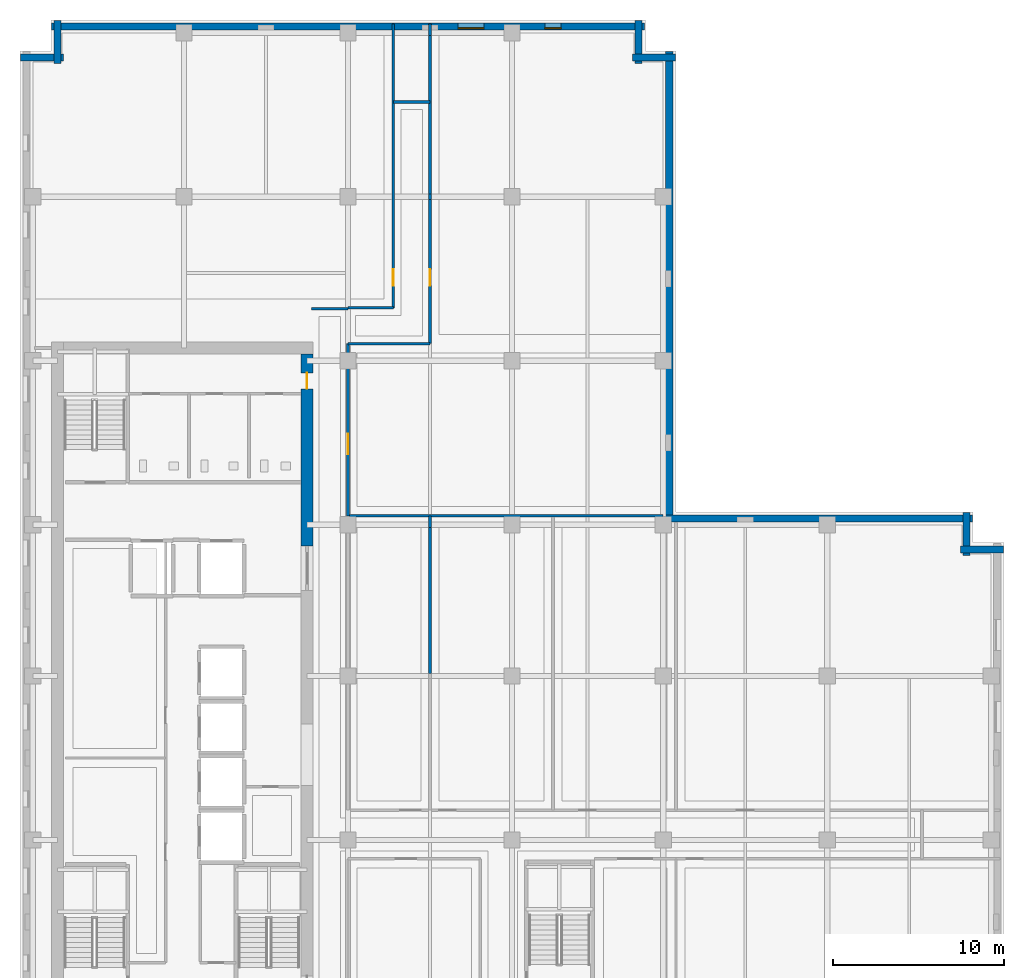
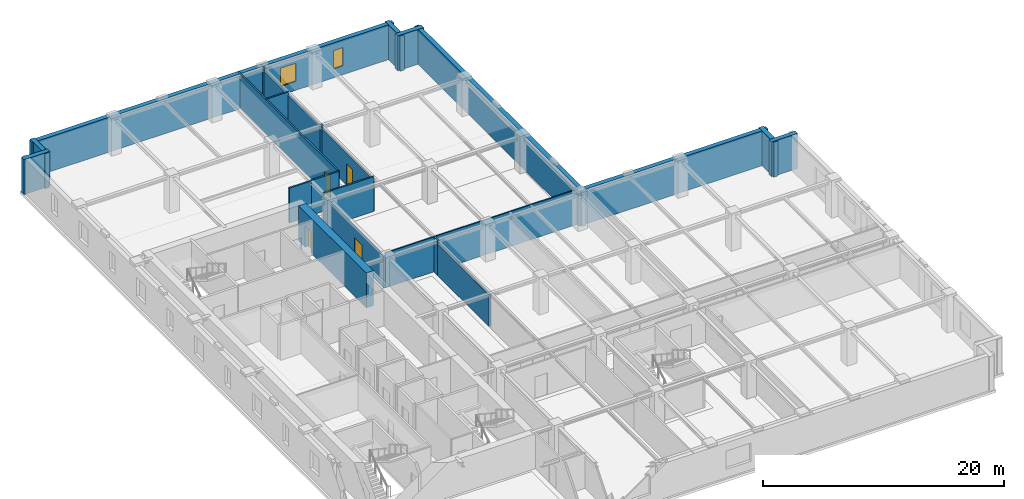
# One storey, part 7 of 13: 23 walls, 4 doors, 2 windows, 6 openings.
"""IFC4 building model written with IfcOpenShell, lengths in metres."""

import ifcopenshell
import ifcopenshell.guid

model = None  # the IFC model being written
_history = None  # IfcOwnerHistory: only IFC2X3 demands one
_inside = {}  # id of a spatial element -> (the spatial element, [elements in it])
_under = {}  # id of a project, library or spatial element -> (it, [spatial elements below it])
_declared = {}  # id of a project -> (the project, [libraries it declares])
_typed = {}  # id of a type object -> (the type object, [elements of that type])
_made_of = {}  # id of a material, layer set ... -> (it, [elements and type objects made of it])


def new_model(schema):
    """Start an empty IFC model of exactly this schema.

    Asked for "IFC4X3", IfcOpenShell would pick the latest addendum, in which some entities
    have other attributes; the version numbers below select the first issue.
    IFC2X3 requires an IfcOwnerHistory on every rooted entity: one is made here for all.
    """
    global model, _history
    if schema == "IFC4X3":
        model = ifcopenshell.file(schema_version=(4, 3, 0, 0))
    else:
        model = ifcopenshell.file(schema=schema)
    _inside.clear()
    _under.clear()
    _declared.clear()
    _typed.clear()
    _made_of.clear()
    _history = None
    if model.schema == "IFC2X3":
        org = make("IfcOrganization", Name="unknown")
        user = make(
            "IfcPersonAndOrganization",
            ThePerson=make("IfcPerson", FamilyName="unknown"),
            TheOrganization=org,
        )
        app = make(
            "IfcApplication",
            ApplicationDeveloper=org,
            Version="unknown",
            ApplicationFullName="unknown",
            ApplicationIdentifier="unknown",
        )
        _history = make(
            "IfcOwnerHistory",
            OwningUser=user,
            OwningApplication=app,
            ChangeAction="ADDED",
            CreationDate=0,
        )
    return model


def make(cls, **values):
    """One entity of the class cls with the attributes given. An attribute that is None is left unset."""
    return model.create_entity(
        cls, **{name: value for name, value in values.items() if value is not None}
    )


def rooted(cls, **values):
    """An entity with a GlobalId (a new one), such as an element, a storey or a relation."""
    return make(cls, GlobalId=ifcopenshell.guid.new(), OwnerHistory=_history, **values)


def si_unit(unit_type, name, prefix=None):
    """IfcSIUnit, for example si_unit("LENGTHUNIT", "METRE", prefix="MILLI")."""
    return make("IfcSIUnit", UnitType=unit_type, Prefix=prefix, Name=name)


def assignment(units):
    """IfcUnitAssignment: the units of a project."""
    return None if units is None else make("IfcUnitAssignment", Units=units)


def point(xyz):
    """IfcCartesianPoint."""
    return None if xyz is None else make("IfcCartesianPoint", Coordinates=xyz)


def direction(xyz):
    """IfcDirection."""
    return None if xyz is None else make("IfcDirection", DirectionRatios=xyz)


def frame(location, z_axis=None, x_axis=None):
    """IfcAxis2Placement3D, a coordinate frame: its origin and axes. An axis left out is left unset."""
    return make(
        "IfcAxis2Placement3D",
        Location=point(location),
        Axis=direction(z_axis),
        RefDirection=direction(x_axis),
    )


def frame_2d(location, x_axis=None):
    """IfcAxis2Placement2D, a coordinate frame in the plane: its origin and x axis."""
    return make(
        "IfcAxis2Placement2D", Location=point(location), RefDirection=direction(x_axis)
    )


def origin():
    """The frame at (0, 0, 0) with its axes left unset."""
    return frame((0.0, 0.0, 0.0))


def place(relative_to, where):
    """IfcLocalPlacement: puts the frame where relative to a parent placement (None: the world)."""
    return make(
        "IfcLocalPlacement", PlacementRelTo=relative_to, RelativePlacement=where
    )


def context(
    kind, dimensions, precision=None, world=None, true_north=None, identifier=None
):
    """IfcGeometricRepresentationContext, for example the 3D "Model" context."""
    return make(
        "IfcGeometricRepresentationContext",
        ContextIdentifier=identifier,
        ContextType=kind,
        CoordinateSpaceDimension=dimensions,
        Precision=precision,
        WorldCoordinateSystem=world,
        TrueNorth=true_north,
    )


def subcontext(parent, identifier, kind, view, scale=None):
    """IfcGeometricRepresentationSubContext, for example "Body" below "Model"."""
    return make(
        "IfcGeometricRepresentationSubContext",
        ContextIdentifier=identifier,
        ContextType=kind,
        ParentContext=parent,
        TargetScale=scale,
        TargetView=view,
    )


def project(units=None, contexts=None):
    """IfcProject with its units and contexts."""
    return rooted(
        "IfcProject",
        Name="project",
        RepresentationContexts=contexts,
        UnitsInContext=assignment(units),
    )


def spatial(cls, under=None, at=None, **own):
    """A site, building, storey or space (cls), placed at a placement, below another one or the project."""
    s = rooted(cls, ObjectPlacement=at, **own)
    if under is not None:
        _under.setdefault(under.id(), (under, []))[1].append(s)
    return s


def profile(cls, at=None, kind="AREA", **sizes):
    """A parametric profile (cls). Its sizes go by their IFC names, for example OverallWidth=200.0."""
    return make(cls, ProfileType=kind, Position=at, **sizes)


def rectangle(**sizes):
    """IfcRectangleProfileDef."""
    return profile("IfcRectangleProfileDef", **sizes)


def extrude(swept, where, along, depth):
    """IfcExtrudedAreaSolid: the profile swept, set in the frame where, extruded along a direction by depth."""
    return make(
        "IfcExtrudedAreaSolid",
        SweptArea=swept,
        Position=where,
        ExtrudedDirection=direction(along),
        Depth=depth,
    )


def shape(context_of_items, identifier, shape_type, items):
    """IfcShapeRepresentation: the items that make up one representation, for example the "Body"."""
    return make(
        "IfcShapeRepresentation",
        ContextOfItems=context_of_items,
        RepresentationIdentifier=identifier,
        RepresentationType=shape_type,
        Items=items,
    )


def material(Name=None, Category=None):
    """IfcMaterial."""
    return make("IfcMaterial", Name=Name, Category=Category)


def layer(
    of_material, thickness, ventilated=None, Name=None, Category=None, Priority=None
):
    """IfcMaterialLayer: one layer of a wall or slab, of a material (None: an air gap)."""
    return make(
        "IfcMaterialLayer",
        Material=of_material,
        LayerThickness=thickness,
        IsVentilated=ventilated,
        Name=Name,
        Category=Category,
        Priority=Priority,
    )


def layer_set(layers, Name=None):
    """IfcMaterialLayerSet."""
    return make("IfcMaterialLayerSet", MaterialLayers=layers, LayerSetName=Name)


def made_of(thing, what):
    """Note that an element or type object is made of a material, layer set ...; save() writes the relation."""
    if what is not None:
        _made_of.setdefault(what.id(), (what, []))[1].append(thing)
    return thing


def type_object(cls, material=None, **own):
    """A type object (cls), such as IfcWallType, which elements share."""
    return made_of(rooted(cls, **own), material)


def element(
    cls,
    number,
    at=None,
    inside=None,
    cuts=None,
    type_object=None,
    material=None,
    context=None,
    identifier="Body",
    shape_type=None,
    held_by="IfcProductDefinitionShape",
    body=None,
    shapes=None,
    **own,
):
    """One element of the class cls, such as IfcWall. Its Tag is "e" and its number.

    at: its placement. inside: the storey or other place that contains it. cuts: it is an
    opening in that element (IfcRelVoidsElement). A single representation is given by context,
    identifier, shape_type and body (its items); several are given by shapes. held_by: the class
    of the entity that holds the representations. save() writes the other relations.
    """
    e = rooted(cls, Tag="e%d" % number, ObjectPlacement=at, **own)
    if body is not None:
        shapes = [shape(context, identifier, shape_type, body)]
    if shapes is not None:
        e.Representation = make(held_by, Representations=shapes)
    if inside is not None:
        _inside.setdefault(inside.id(), (inside, []))[1].append(e)
    if cuts is not None:
        rooted(
            "IfcRelVoidsElement", RelatingBuildingElement=cuts, RelatedOpeningElement=e
        )
    if type_object is not None:
        _typed.setdefault(type_object.id(), (type_object, []))[1].append(e)
    return made_of(e, material)


def fill(opening, filler):
    """IfcRelFillsElement: the door or window that sits in an opening."""
    return rooted(
        "IfcRelFillsElement",
        RelatingOpeningElement=opening,
        RelatedBuildingElement=filler,
    )


def aggregate(whole, parts):
    """IfcRelAggregates: a whole, such as a stair, and the parts it consists of."""
    return rooted("IfcRelAggregates", RelatingObject=whole, RelatedObjects=parts)


def save(model, path):
    """Write the relations noted so far, then the file.

    IfcRelAggregates (storeys below a building ...), IfcRelContainedInSpatialStructure (elements
    in a storey), IfcRelDefinesByType, IfcRelAssociatesMaterial and IfcRelDeclares: one each for
    every whole, place, type object, material and project.
    """
    for whole, parts in _under.values():
        aggregate(whole, parts)
    for where, things in _inside.values():
        rooted(
            "IfcRelContainedInSpatialStructure",
            RelatedElements=things,
            RelatingStructure=where,
        )
    for kind, things in _typed.values():
        rooted("IfcRelDefinesByType", RelatedObjects=things, RelatingType=kind)
    for what, things in _made_of.values():
        rooted("IfcRelAssociatesMaterial", RelatedObjects=things, RelatingMaterial=what)
    for by, libraries in _declared.values():
        rooted("IfcRelDeclares", RelatingContext=by, RelatedDefinitions=libraries)
    model.write(path)


model = new_model("IFC4")

# Units and contexts
model_context = context("Model", 3, precision=1e-05, world=origin(), true_north=direction((0.0, 1.0)))
body_context = subcontext(model_context, "Body", "Model", "MODEL_VIEW")
ifc_project = project(units=[si_unit("LENGTHUNIT", "METRE"), si_unit("AREAUNIT", "SQUARE_METRE"), si_unit("VOLUMEUNIT", "CUBIC_METRE"), si_unit("PLANEANGLEUNIT", "RADIAN"), si_unit("MASSUNIT", "GRAM", prefix="KILO")], contexts=[model_context])

# Site, building, storey
site_placement = place(None, origin())
site = spatial("IfcSite", under=ifc_project, at=site_placement, CompositionType="ELEMENT")
building_placement = place(site_placement, origin())
building = spatial("IfcBuilding", under=site, at=building_placement, Name="Norrvale University Quadrangle", CompositionType="ELEMENT")
storey_placement = place(building_placement, frame((0.0, 0.0, 178.800048828125)))
storey = spatial("IfcBuildingStorey", under=building, at=storey_placement, Name="L45", CompositionType="ELEMENT", Elevation=178.800048828125)

# Walls
ifc_material_1 = material(Name="Buff Norman Clay Brick Masonry", Category="masonry")
ifc_layer_1 = layer(ifc_material_1, 0.419921875, Name="Buff Norman Clay Brick Masonry")
ifc_layer_set_1 = layer_set([ifc_layer_1], Name="Buff Norman Clay Brick Masonry")
wall_type_1 = type_object("IfcWallType", Name="Wall Buff Brick 420", PredefinedType="SOLIDWALL", material=ifc_layer_set_1)
for number, where, z_axis, x_axis, name in (
    (1, (57.56005859375, 36.2099609375, 0.0), (0.0, 0.0, 1.0), (-1.0, 0.0, 0.0), "Exterior Brick Facade Wall L45-05.1"),
    (2, (55.409912109375, 35.860107421875, 0.0), (0.0, 0.0, 1.0), (0.0, 1.0, 0.0), "Exterior Brick Facade Wall L45-06.1"),
):
    element("IfcWall", number, at=place(storey_placement, frame(where, z_axis=z_axis, x_axis=x_axis)), inside=storey, type_object=wall_type_1, Name=name, PredefinedType="SOLIDWALL", context=body_context, shape_type="SweptSolid", body=[
        extrude(rectangle(XDim=2.5, YDim=0.419921875, at=frame_2d((1.25, 0.0))), origin(), (0.0, 0.0, 1.0), 3.5400390625),
    ])
wall_1_placement = place(storey_placement, frame((55.760009765625, 38.010009765625, 0.0), z_axis=(0.0, 0.0, 1.0), x_axis=(-1.0, 0.0, 0.0)))
element("IfcWall", 3, at=wall_1_placement, inside=storey, type_object=wall_type_1, Name="Exterior Brick Facade Wall L45-07.1", PredefinedType="SOLIDWALL", context=body_context, shape_type="SweptSolid", body=[
    extrude(rectangle(XDim=18.10009765625, YDim=0.419921875, at=frame_2d((9.050048828125, 0.0))), origin(), (0.0, 0.0, 1.0), 3.5400390625),
])
wall_2_placement = place(storey_placement, frame((38.010009765625, 37.659912109375, 0.0), z_axis=(0.0, 0.0, 1.0), x_axis=(0.0, 1.0, 0.0)))
element("IfcWall", 4, at=wall_2_placement, inside=storey, type_object=wall_type_1, Name="Exterior Brick Facade Wall L45-08.1", PredefinedType="SOLIDWALL", context=body_context, shape_type="SweptSolid", body=[
    extrude(rectangle(XDim=27.7001953125, YDim=0.419921875, at=frame_2d((13.85009765625, 0.0))), origin(), (0.0, 0.0, 1.0), 3.5400390625),
])
for number, where, z_axis, x_axis, name in (
    (5, (38.360107421875, 65.010009765625, 0.0), (0.0, 0.0, 1.0), (-1.0, 0.0, 0.0), "Exterior Brick Facade Wall L45-09.1"),
    (6, (36.2099609375, 64.659912109375, 0.0), (0.0, 0.0, 1.0), (0.0, 1.0, 0.0), "Exterior Brick Facade Wall L45-10.1"),
):
    element("IfcWall", number, at=place(storey_placement, frame(where, z_axis=z_axis, x_axis=x_axis)), inside=storey, type_object=wall_type_1, Name=name, PredefinedType="SOLIDWALL", context=body_context, shape_type="SweptSolid", body=[
        extrude(rectangle(XDim=2.5, YDim=0.419921875, at=frame_2d((1.25, 0.0))), origin(), (0.0, 0.0, 1.0), 3.5400390625),
    ])

# Wall, openings, windows
wall_3_placement = place(storey_placement, frame((36.56005859375, 66.81005859375, 0.0), z_axis=(0.0, 0.0, 1.0), x_axis=(-1.0, 0.0, 0.0)))
wall_3 = element("IfcWall", 7, at=wall_3_placement, inside=storey, type_object=wall_type_1, Name="Exterior Brick Facade Wall L45-11.1", PredefinedType="SOLIDWALL", context=body_context, shape_type="SweptSolid", body=[
    extrude(rectangle(XDim=34.719970703125, YDim=0.419921875, at=frame_2d((17.35986328125, 0.0))), origin(), (0.0, 0.0, 1.0), 3.5400390625),
])
opening_1_placement = place(wall_3_placement, frame((4.885009765625, 0.0, 0.89990234375)))
opening_1 = element("IfcOpeningElement", 8, at=opening_1_placement, cuts=wall_3, Name="Opening W04", PredefinedType="OPENING", context=body_context, shape_type="SweptSolid", body=[
    extrude(rectangle(XDim=0.949951171875, YDim=1.85009765625, at=frame_2d((0.47509765625, 0.925048828125))), frame((0.0, 0.221923828125, 0.0), z_axis=(0.0, -1.0, 0.0), x_axis=(1.0, 0.0, 0.0)), (0.0, 0.0, 1.0), 0.44384765625),
])
opening_2_placement = place(wall_3_placement, frame((9.409912109375, 0.0, 0.89990234375)))
opening_2 = element("IfcOpeningElement", 9, at=opening_2_placement, cuts=wall_3, Name="Opening W03", PredefinedType="OPENING", context=body_context, shape_type="SweptSolid", body=[
    extrude(rectangle(XDim=1.5, YDim=1.85009765625, at=frame_2d((0.75, 0.925048828125))), frame((0.0, 0.221923828125, 0.0), z_axis=(0.0, -1.0, 0.0), x_axis=(1.0, 0.0, 0.0)), (0.0, 0.0, 1.0), 0.44384765625),
])
ifc_material_2 = material(Name="Triple Low-E Argon Glazing", Category="glass")
window_type_1 = type_object("IfcWindowType", Name="Window Narrow Pier 950x2300", PartitioningType="SINGLE_PANEL", PredefinedType="WINDOW", material=ifc_material_2)
window_1_placement = place(opening_1_placement, origin())
window_1 = element("IfcWindow", 10, at=window_1_placement, inside=storey, type_object=window_type_1, Name="Window Narrow Pier 950x2300 WIN-L45-E11-1-01", OverallHeight=1.85009765625, OverallWidth=0.949951171875, PartitioningType="SINGLE_PANEL", PredefinedType="WINDOW", context=body_context, shape_type="SweptSolid", body=[
    extrude(rectangle(XDim=0.949951171875, YDim=1.85009765625, at=frame_2d((0.47509765625, 0.925048828125))), frame((0.0, 0.110107421875, 0.0), z_axis=(0.0, -1.0, 0.0), x_axis=(1.0, 0.0, 0.0)), (0.0, 0.0, 1.0), 0.06005859375),
])
fill(opening_1, window_1)
window_type_2 = type_object("IfcWindowType", Name="Window Studio 1500x2300", PartitioningType="DOUBLE_PANEL_VERTICAL", PredefinedType="WINDOW", material=ifc_material_2)
window_2_placement = place(opening_2_placement, origin())
window_2 = element("IfcWindow", 11, at=window_2_placement, inside=storey, type_object=window_type_2, Name="Window Studio 1500x2300 WIN-L45-E11-1-02", OverallHeight=1.85009765625, OverallWidth=1.5, PartitioningType="DOUBLE_PANEL_VERTICAL", PredefinedType="WINDOW", context=body_context, shape_type="SweptSolid", body=[
    extrude(rectangle(XDim=1.5, YDim=1.85009765625, at=frame_2d((0.75, 0.925048828125))), frame((0.0, 0.110107421875, 0.0), z_axis=(0.0, -1.0, 0.0), x_axis=(1.0, 0.0, 0.0)), (0.0, 0.0, 1.0), 0.06005859375),
])
fill(opening_2, window_2)

# Walls
for number, where, z_axis, x_axis, name in (
    (12, (2.18994140625, 67.159912109375, 0.0), (0.0, 0.0, 1.0), (0.0, -1.0, 0.0), "Exterior Brick Facade Wall L45-12.1"),
    (13, (2.5400390625, 65.010009765625, 0.0), (0.0, 0.0, 1.0), (-1.0, 0.0, 0.0), "Exterior Brick Facade Wall L45-13.1"),
):
    element("IfcWall", number, at=place(storey_placement, frame(where, z_axis=z_axis, x_axis=x_axis)), inside=storey, type_object=wall_type_1, Name=name, PredefinedType="SOLIDWALL", context=body_context, shape_type="SweptSolid", body=[
        extrude(rectangle(XDim=2.5, YDim=0.419921875, at=frame_2d((1.25, 0.0))), origin(), (0.0, 0.0, 1.0), 3.5400390625),
    ])

# Wall, opening, door
ifc_material_3 = material(Name="Concrete C60/75", Category="concrete")
ifc_layer_2 = layer(ifc_material_3, 0.699951171875, Name="Concrete C60/75")
ifc_layer_set_2 = layer_set([ifc_layer_2], Name="Concrete C60/75")
wall_type_2 = type_object("IfcWallType", Name="Wall Core 700", PredefinedType="SHEAR", material=ifc_layer_set_2)
wall_4_placement = place(storey_placement, frame((16.800048828125, 36.39990234375, 0.0), z_axis=(0.0, 0.0, 1.0), x_axis=(0.0, 1.0, 0.0)))
wall_4 = element("IfcWall", 14, at=wall_4_placement, inside=storey, type_object=wall_type_2, Name="Tower Core Shear Wall L45-E3", PredefinedType="SHEAR", context=body_context, shape_type="SweptSolid", body=[
    extrude(rectangle(XDim=11.25, YDim=0.699951171875, at=frame_2d((5.625, 0.0))), origin(), (0.0, 0.0, 1.0), 3.5400390625),
])
opening_3_placement = place(wall_4_placement, frame((9.199951171875, 0.0, 0.0)))
opening_3 = element("IfcOpeningElement", 15, at=opening_3_placement, cuts=wall_4, Name="Opening D07", PredefinedType="OPENING", context=body_context, shape_type="SweptSolid", body=[
    extrude(rectangle(XDim=0.949951171875, YDim=2.14990234375, at=frame_2d((0.47509765625, 1.074951171875))), frame((0.0, 0.362060546875, 0.0), z_axis=(0.0, -1.0, 0.0), x_axis=(1.0, 0.0, 0.0)), (0.0, 0.0, 1.0), 0.723876953125),
])
ifc_material_4 = material(Name="Solid-Core Maple Door", Category="wood")
door_type_1 = type_object("IfcDoorType", Name="Door Office 950x2150", OperationType="NOTDEFINED", PredefinedType="DOOR", material=ifc_material_4)
door_1_placement = place(opening_3_placement, origin())
door_1 = element("IfcDoor", 16, at=door_1_placement, inside=storey, type_object=door_type_1, Name="Door Office 950x2150 DR-L45-NECORR", OperationType="SINGLE_SWING_RIGHT", OverallHeight=2.14990234375, OverallWidth=0.949951171875, PredefinedType="DOOR", context=body_context, shape_type="SweptSolid", body=[
    extrude(rectangle(XDim=0.949951171875, YDim=2.14990234375, at=frame_2d((0.47509765625, 1.074951171875))), frame((0.0, 0.02490234375, 0.0), z_axis=(0.0, -1.0, 0.0), x_axis=(1.0, 0.0, 0.0)), (0.0, 0.0, 1.0), 0.050048828125),
])
fill(opening_3, door_1)

# Walls
ifc_material_5 = material(Name="Standard Academic Gypsum Partition")
ifc_layer_3 = layer(ifc_material_5, 0.125, Name="Standard Academic Gypsum Partition")
ifc_layer_set_3 = layer_set([ifc_layer_3], Name="Standard Academic Gypsum Partition")
wall_type_3 = type_object("IfcWallType", Name="Wall Gypsum Academic 125", PredefinedType="PARTITIONING", material=ifc_layer_set_3)
wall_5_placement = place(storey_placement, frame((19.280029296875, 38.179931640625, 0.0), z_axis=(0.0, 0.0, 1.0), x_axis=(1.0, 0.0, 0.0)))
element("IfcWall", 17, at=wall_5_placement, inside=storey, type_object=wall_type_3, Name="Interior Partition WL-L45-ME-N", PredefinedType="PARTITIONING", context=body_context, shape_type="SweptSolid", body=[
    extrude(rectangle(XDim=18.369873046875, YDim=0.125, at=frame_2d((9.18505859375, 0.0))), origin(), (0.0, 0.0, 1.0), 3.5400390625),
])
ifc_material_6 = material(Name="Fire-Rated Gypsum Stud Partition")
ifc_layer_4 = layer(ifc_material_6, 0.14990234375, Name="Fire-Rated Gypsum Stud Partition")
ifc_layer_set_4 = layer_set([ifc_layer_4], Name="Fire-Rated Gypsum Stud Partition")
wall_type_4 = type_object("IfcWallType", Name="Wall Gypsum Corridor 150", PredefinedType="PARTITIONING", material=ifc_layer_set_4)
wall_6_placement = place(storey_placement, frame((17.050048828125, 50.300048828125, 0.0), z_axis=(0.0, 0.0, 1.0), x_axis=(1.0, 0.0, 0.0)))
element("IfcWall", 18, at=wall_6_placement, inside=storey, type_object=wall_type_4, Name="Interior Partition WL-L45-CSP-N", PredefinedType="PARTITIONING", context=body_context, shape_type="SweptSolid", body=[
    extrude(rectangle(XDim=2.14990234375, YDim=0.14990234375, at=frame_2d((1.074951171875, 0.0))), origin(), (0.0, 0.0, 1.0), 3.5400390625),
])

# Wall, opening, door
wall_7_placement = place(storey_placement, frame((19.199951171875, 38.179931640625, 0.0), z_axis=(0.0, 0.0, 1.0), x_axis=(0.0, 1.0, 0.0)))
wall_7 = element("IfcWall", 19, at=wall_7_placement, inside=storey, type_object=wall_type_4, Name="Interior Partition WL-L45-MNECW", PredefinedType="PARTITIONING", context=body_context, shape_type="SweptSolid", body=[
    extrude(rectangle(XDim=10.070068359375, YDim=0.14990234375, at=frame_2d((5.03515625, 0.0))), origin(), (0.0, 0.0, 1.0), 3.23193359375),
])
opening_4_placement = place(wall_7_placement, frame((3.60009765625, 0.0, 0.0)))
opening_4 = element("IfcOpeningElement", 20, at=opening_4_placement, cuts=wall_7, Name="Opening D05", PredefinedType="OPENING", context=body_context, shape_type="SweptSolid", body=[
    extrude(rectangle(XDim=1.199951171875, YDim=2.199951171875, at=frame_2d((0.60009765625, 1.10009765625))), frame((0.0, 0.0869140625, 0.0), z_axis=(0.0, -1.0, 0.0), x_axis=(1.0, 0.0, 0.0)), (0.0, 0.0, 1.0), 0.173828125),
])
ifc_material_7 = material(Name="Acoustic Oak Classroom Door", Category="wood")
door_type_2 = type_object("IfcDoorType", Name="Door Classroom 1200x2200", OperationType="NOTDEFINED", PredefinedType="DOOR", material=ifc_material_7)
door_2_placement = place(opening_4_placement, origin())
door_2 = element("IfcDoor", 21, at=door_2_placement, inside=storey, type_object=door_type_2, Name="Door Classroom 1200x2200 DR-L45-MNE01", OperationType="SINGLE_SWING_RIGHT", OverallHeight=2.199951171875, OverallWidth=1.199951171875, PredefinedType="DOOR", context=body_context, shape_type="SweptSolid", body=[
    extrude(rectangle(XDim=1.199951171875, YDim=2.199951171875, at=frame_2d((0.60009765625, 1.10009765625))), frame((0.0, 0.02490234375, 0.0), z_axis=(0.0, -1.0, 0.0), x_axis=(1.0, 0.0, 0.0)), (0.0, 0.0, 1.0), 0.050048828125),
])
fill(opening_4, door_2)

# Walls
wall_8_placement = place(storey_placement, frame((19.199951171875, 48.25, 0.0), z_axis=(0.0, 0.0, 1.0), x_axis=(1.0, 0.0, 0.0)))
element("IfcWall", 22, at=wall_8_placement, inside=storey, type_object=wall_type_4, Name="Interior Partition WL-L45-JOGS", PredefinedType="PARTITIONING", context=body_context, shape_type="SweptSolid", body=[
    extrude(rectangle(XDim=4.800048828125, YDim=0.14990234375, at=frame_2d((2.39990234375, 0.0))), origin(), (0.0, 0.0, 1.0), 3.5400390625),
])
wall_9_placement = place(storey_placement, frame((19.199951171875, 50.35009765625, 0.0), z_axis=(0.0, 0.0, 1.0), x_axis=(1.0, 0.0, 0.0)))
element("IfcWall", 23, at=wall_9_placement, inside=storey, type_object=wall_type_4, Name="Interior Partition WL-L45-JOGN", PredefinedType="PARTITIONING", context=body_context, shape_type="SweptSolid", body=[
    extrude(rectangle(XDim=2.650146484375, YDim=0.14990234375, at=frame_2d((1.3251953125, 0.0))), origin(), (0.0, 0.0, 1.0), 3.5400390625),
])
wall_10_placement = place(storey_placement, frame((21.85009765625, 62.39990234375, 0.0), z_axis=(0.0, 0.0, 1.0), x_axis=(1.0, 0.0, 0.0)))
element("IfcWall", 24, at=wall_10_placement, inside=storey, type_object=wall_type_4, Name="Interior Partition WL-L45-JOGEND", PredefinedType="PARTITIONING", context=body_context, shape_type="SweptSolid", body=[
    extrude(rectangle(XDim=2.14990234375, YDim=0.14990234375, at=frame_2d((1.074951171875, 0.0))), origin(), (0.0, 0.0, 1.0), 3.5400390625),
])

# Wall, opening, door
wall_11_placement = place(storey_placement, frame((24.0, 48.25, 0.0), z_axis=(0.0, 0.0, 1.0), x_axis=(0.0, 1.0, 0.0)))
wall_11 = element("IfcWall", 25, at=wall_11_placement, inside=storey, type_object=wall_type_4, Name="Interior Partition WL-L45-NECW", PredefinedType="PARTITIONING", context=body_context, shape_type="SweptSolid", body=[
    extrude(rectangle(XDim=8.447509765625, YDim=0.14990234375, at=frame_2d((4.2236328125, 0.0))), origin(), (0.0, 0.0, 1.0), 3.222900390625),
])
opening_5_placement = place(wall_11_placement, frame((3.39990234375, 0.0, 0.0)))
opening_5 = element("IfcOpeningElement", 26, at=opening_5_placement, cuts=wall_11, Name="Opening D07", PredefinedType="OPENING", context=body_context, shape_type="SweptSolid", body=[
    extrude(rectangle(XDim=0.949951171875, YDim=2.14990234375, at=frame_2d((0.47509765625, 1.074951171875))), frame((0.0, 0.0869140625, 0.0), z_axis=(0.0, -1.0, 0.0), x_axis=(1.0, 0.0, 0.0)), (0.0, 0.0, 1.0), 0.173828125),
])
door_3_placement = place(opening_5_placement, origin())
door_3 = element("IfcDoor", 27, at=door_3_placement, inside=storey, type_object=door_type_1, Name="Door Office 950x2150 DR-L45-NE01", OperationType="SINGLE_SWING_RIGHT", OverallHeight=2.14990234375, OverallWidth=0.949951171875, PredefinedType="DOOR", context=body_context, shape_type="SweptSolid", body=[
    extrude(rectangle(XDim=0.949951171875, YDim=2.14990234375, at=frame_2d((0.47509765625, 1.074951171875))), frame((0.0, 0.02490234375, 0.0), z_axis=(0.0, -1.0, 0.0), x_axis=(1.0, 0.0, 0.0)), (0.0, 0.0, 1.0), 0.050048828125),
])
fill(opening_5, door_3)

# Walls
wall_12_placement = place(storey_placement, frame((24.0, 56.697509765625, 0.0), z_axis=(0.0, 0.0, 1.0), x_axis=(0.0, 1.0, 0.0)))
element("IfcWall", 28, at=wall_12_placement, inside=storey, type_object=wall_type_4, Name="Interior Partition WL-L45-NECW-B2", PredefinedType="PARTITIONING", context=body_context, shape_type="SweptSolid", body=[
    extrude(rectangle(XDim=0.304931640625, YDim=0.14990234375, at=frame_2d((0.15234375, 0.0))), origin(), (0.0, 0.0, 1.0), 3.5400390625),
])
wall_13_placement = place(storey_placement, frame((24.0, 57.00244140625, 0.0), z_axis=(0.0, 0.0, 1.0), x_axis=(0.0, 1.0, 0.0)))
element("IfcWall", 29, at=wall_13_placement, inside=storey, type_object=wall_type_4, Name="Interior Partition WL-L45-NECW-B3", PredefinedType="PARTITIONING", context=body_context, shape_type="SweptSolid", body=[
    extrude(rectangle(XDim=9.295166015625, YDim=0.14990234375, at=frame_2d((4.6474609375, 0.0))), origin(), (0.0, 0.0, 1.0), 3.222900390625),
])
wall_14_placement = place(storey_placement, frame((24.0, 66.297607421875, 0.0), z_axis=(0.0, 0.0, 1.0), x_axis=(0.0, 1.0, 0.0)))
element("IfcWall", 30, at=wall_14_placement, inside=storey, type_object=wall_type_4, Name="Interior Partition WL-L45-NECW-B4", PredefinedType="PARTITIONING", context=body_context, shape_type="SweptSolid", body=[
    extrude(rectangle(XDim=0.682373046875, YDim=0.14990234375, at=frame_2d((0.34130859375, 0.0))), origin(), (0.0, 0.0, 1.0), 3.5400390625),
])

# Wall, opening, door
wall_15_placement = place(storey_placement, frame((21.85009765625, 50.35009765625, 0.0), z_axis=(0.0, 0.0, 1.0), x_axis=(0.0, 1.0, 0.0)))
wall_15 = element("IfcWall", 31, at=wall_15_placement, inside=storey, type_object=wall_type_4, Name="Interior Partition WL-L45-NWCW", PredefinedType="PARTITIONING", context=body_context, shape_type="SweptSolid", body=[
    extrude(rectangle(XDim=16.6298828125, YDim=0.14990234375, at=frame_2d((8.31494140625, 0.0))), origin(), (0.0, 0.0, 1.0), 3.5400390625),
])
opening_6_placement = place(wall_15_placement, frame((1.300048828125, 0.0, 0.0)))
opening_6 = element("IfcOpeningElement", 32, at=opening_6_placement, cuts=wall_15, Name="Opening D07", PredefinedType="OPENING", context=body_context, shape_type="SweptSolid", body=[
    extrude(rectangle(XDim=0.949951171875, YDim=2.14990234375, at=frame_2d((0.47509765625, 1.074951171875))), frame((0.0, 0.0869140625, 0.0), z_axis=(0.0, -1.0, 0.0), x_axis=(1.0, 0.0, 0.0)), (0.0, 0.0, 1.0), 0.173828125),
])
door_4_placement = place(opening_6_placement, origin())
door_4 = element("IfcDoor", 33, at=door_4_placement, inside=storey, type_object=door_type_1, Name="Door Office 950x2150 DR-L45-NW01", OperationType="SINGLE_SWING_RIGHT", OverallHeight=2.14990234375, OverallWidth=0.949951171875, PredefinedType="DOOR", context=body_context, shape_type="SweptSolid", body=[
    extrude(rectangle(XDim=0.949951171875, YDim=2.14990234375, at=frame_2d((0.47509765625, 1.074951171875))), frame((0.0, 0.02490234375, 0.0), z_axis=(0.0, -1.0, 0.0), x_axis=(1.0, 0.0, 0.0)), (0.0, 0.0, 1.0), 0.050048828125),
])
fill(opening_6, door_4)

# Walls
ifc_material_8 = material(Name="Acoustic Double-Stud Gypsum Partition")
ifc_layer_5 = layer(ifc_material_8, 0.179931640625, Name="Acoustic Double-Stud Gypsum Partition")
ifc_layer_set_5 = layer_set([ifc_layer_5], Name="Acoustic Double-Stud Gypsum Partition")
wall_type_5 = type_object("IfcWallType", Name="Wall Gypsum Lecture 180", PredefinedType="PARTITIONING", material=ifc_layer_set_5)
wall_16_placement = place(storey_placement, frame((24.0, 28.952392578125, 0.0), z_axis=(0.0, 0.0, 1.0), x_axis=(0.0, 1.0, 0.0)))
element("IfcWall", 34, at=wall_16_placement, inside=storey, type_object=wall_type_5, Name="Interior Partition WL-L45-MEP01-B3", PredefinedType="PARTITIONING", context=body_context, shape_type="SweptSolid", body=[
    extrude(rectangle(XDim=8.545166015625, YDim=0.179931640625, at=frame_2d((4.2724609375, 0.0))), origin(), (0.0, 0.0, 1.0), 3.222900390625),
])
wall_17_placement = place(storey_placement, frame((24.0, 37.49755859375, 0.0), z_axis=(0.0, 0.0, 1.0), x_axis=(0.0, 1.0, 0.0)))
element("IfcWall", 35, at=wall_17_placement, inside=storey, type_object=wall_type_5, Name="Interior Partition WL-L45-MEP01-B4", PredefinedType="PARTITIONING", context=body_context, shape_type="SweptSolid", body=[
    extrude(rectangle(XDim=0.682373046875, YDim=0.179931640625, at=frame_2d((0.34130859375, 0.0))), origin(), (0.0, 0.0, 1.0), 3.5400390625),
])

save(model, "model.ifc")
